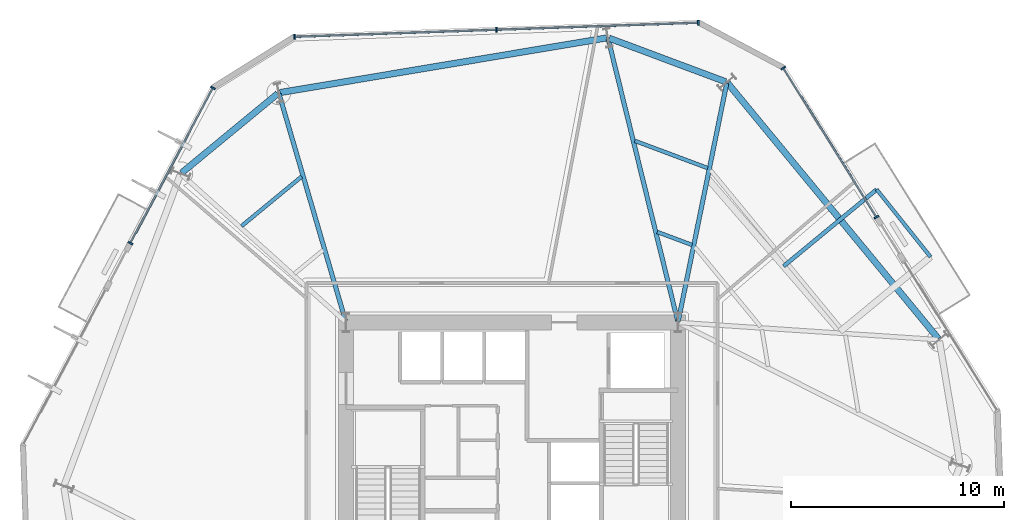
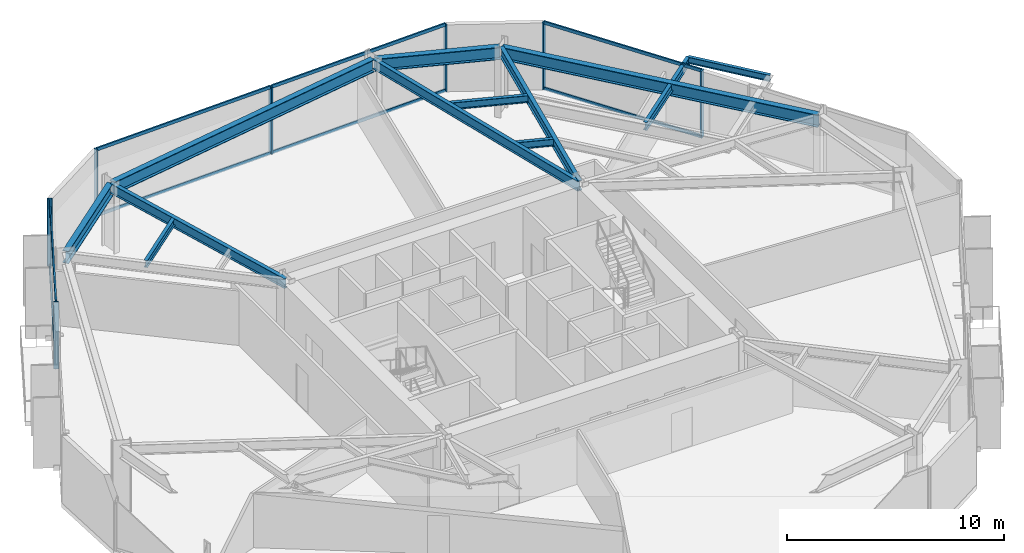
# One storey, part 4 of 10: 15 members, 12 beams, 3 elements without a shape of their own.
"""IFC4 building model written with IfcOpenShell, lengths in metres."""

from ifc_helpers import new_model, si_unit, direction, frame, origin, origin_2d, place, context, subcontext, project, spatial, rectangle, i_section, extrude, material, layer, layer_set, material_profile, profile_set, type_object, element, aggregate, save


model = new_model("IFC4")

# Units and contexts
model_context = context("Model", 3, precision=1e-05, world=origin(), true_north=direction((0.0, 1.0)))
body_context = subcontext(model_context, "Body", "Model", "MODEL_VIEW")
ifc_project = project(units=[si_unit("LENGTHUNIT", "METRE"), si_unit("AREAUNIT", "SQUARE_METRE"), si_unit("VOLUMEUNIT", "CUBIC_METRE"), si_unit("PLANEANGLEUNIT", "RADIAN"), si_unit("MASSUNIT", "GRAM", prefix="KILO")], contexts=[model_context])

# Site, building, storey
site_placement = place(None, origin())
site = spatial("IfcSite", under=ifc_project, at=site_placement, CompositionType="ELEMENT")
building_placement = place(site_placement, origin())
building = spatial("IfcBuilding", under=site, at=building_placement, Name="Kranzbogen Civic Tower", CompositionType="ELEMENT")
storey_placement = place(building_placement, frame((0.0, 0.0, 28.0)))
storey = spatial("IfcBuildingStorey", under=building, at=storey_placement, Name="L06", CompositionType="ELEMENT", Elevation=28.0)

# Beam
ifc_material_1 = material(Name="Steel S355", Category="steel")
ifc_material_profile_1 = material_profile(ifc_material_1, i_section(OverallWidth=0.18994140625, OverallDepth=0.449951171875, WebThickness=0.009521484375, FlangeThickness=0.0146484375, at=origin_2d()), Name="IPE 450")
ifc_profile_set_1 = profile_set([ifc_material_profile_1], Name="Steel S355")
beam_type_1 = type_object("IfcBeamType", Name="Braced Terrace Edge Beam IPE 450", PredefinedType="BEAM", material=ifc_profile_set_1)
beam_1_placement = place(storey_placement, frame((37.759033203125, 34.840087890625, 3.52490234375), z_axis=(0.77159944291, 0.636108716889, 0.0), x_axis=(-0.636108716889, 0.77159944291, 0.0)))
element("IfcBeam", 1, at=beam_1_placement, inside=storey, type_object=beam_type_1, Name="L07 back-spanned terrace beam L07-TB2-2", PredefinedType="BEAM", context=body_context, shape_type="SweptSolid", body=[
    extrude(i_section(OverallWidth=0.18994140625, OverallDepth=0.449951171875, WebThickness=0.009521484375, FlangeThickness=0.0146484375, at=origin_2d()), origin(), (0.0, 0.0, 1.0), 5.668701171875),
])

# Curtain wall, members
ifc_material_2 = material(Name="Pale Anodised Aluminium", Category="aluminium")
ifc_layer = layer(ifc_material_2, 0.219970703125, Name="Pale Anodised Aluminium")
ifc_layer_set = layer_set([ifc_layer], Name="Pale Anodised Aluminium")
curtain_wall_type = type_object("IfcCurtainWallType", Name="Zone 1 Stick Curtain Wall System CW-02", PredefinedType="USERDEFINED", material=ifc_layer_set)
curtain_wall_1_placement = place(storey_placement, origin())
curtain_wall_1 = element("IfcCurtainWall", 2, at=curtain_wall_1_placement, inside=storey, type_object=curtain_wall_type, Name="L06 curtain wall CW-L06-F1-S2", ObjectType="STICK CURTAIN WALL", PredefinedType="USERDEFINED")
ifc_material_profile_2 = material_profile(ifc_material_2, rectangle(XDim=0.080078125, YDim=0.239990234375, at=origin_2d()), Name="ALU-M 80x240")
ifc_profile_set_2 = profile_set([ifc_material_profile_2], Name="Pale Anodised Aluminium")
member_type_1 = type_object("IfcMemberType", Name="Curtain Wall Mullion ALU-M 80x240", PredefinedType="MULLION", material=ifc_profile_set_2)
member_1_placement = place(storey_placement, frame((42.123046875, 37.1494140625, 0.0), z_axis=(0.0, 0.0, 1.0), x_axis=(-0.529880076726, 0.84807258197, 0.0)))
member_1 = element("IfcMember", 3, at=member_1_placement, type_object=member_type_1, Name="CW-02 mullion 1", PredefinedType="MULLION", context=body_context, shape_type="SweptSolid", body=[
    extrude(rectangle(XDim=0.080078125, YDim=0.239990234375, at=origin_2d()), origin(), (0.0, 0.0, 1.0), 3.760009765625),
])
member_2_placement = place(storey_placement, frame((37.746826171875, 44.153564453125, 0.0), z_axis=(0.0, 0.0, 1.0), x_axis=(-0.529880076726, 0.84807258197, 0.0)))
member_2 = element("IfcMember", 4, at=member_2_placement, type_object=member_type_1, Name="CW-02 mullion 2", PredefinedType="MULLION", context=body_context, shape_type="SweptSolid", body=[
    extrude(rectangle(XDim=0.080078125, YDim=0.239990234375, at=origin_2d()), origin(), (0.0, 0.0, 1.0), 3.760009765625),
])

curtain_wall_2_placement = place(storey_placement, origin())
curtain_wall_2 = element("IfcCurtainWall", 5, at=curtain_wall_2_placement, inside=storey, type_object=curtain_wall_type, Name="L06 curtain wall CW-L06-F2", ObjectType="STICK CURTAIN WALL", PredefinedType="USERDEFINED")
member_3_placement = place(storey_placement, frame((33.751953125, 46.279052734375, 0.0), z_axis=(0.0, 0.0, 1.0), x_axis=(-0.999389796064, -0.034929006913, 0.0)))
member_3 = element("IfcMember", 6, at=member_3_placement, type_object=member_type_1, Name="CW-02 mullion 1", PredefinedType="MULLION", context=body_context, shape_type="SweptSolid", body=[
    extrude(rectangle(XDim=0.080078125, YDim=0.239990234375, at=origin_2d()), origin(), (0.0, 0.0, 1.0), 3.760009765625),
])
member_4_placement = place(storey_placement, frame((24.2685546875, 45.947509765625, 0.0), z_axis=(0.0, 0.0, 1.0), x_axis=(-0.999389796064, -0.034929006913, 0.0)))
member_4 = element("IfcMember", 7, at=member_4_placement, type_object=member_type_1, Name="CW-02 mullion 2", PredefinedType="MULLION", context=body_context, shape_type="SweptSolid", body=[
    extrude(rectangle(XDim=0.080078125, YDim=0.239990234375, at=origin_2d()), origin(), (0.0, 0.0, 1.0), 3.760009765625),
])
member_5_placement = place(storey_placement, frame((14.784912109375, 45.615966796875, 0.0), z_axis=(0.0, 0.0, 1.0), x_axis=(-0.999389796064, -0.034929006913, 0.0)))
member_5 = element("IfcMember", 8, at=member_5_placement, type_object=member_type_1, Name="CW-02 mullion 3", PredefinedType="MULLION", context=body_context, shape_type="SweptSolid", body=[
    extrude(rectangle(XDim=0.080078125, YDim=0.239990234375, at=origin_2d()), origin(), (0.0, 0.0, 1.0), 3.760009765625),
])

curtain_wall_3_placement = place(storey_placement, origin())
curtain_wall_3 = element("IfcCurtainWall", 9, at=curtain_wall_3_placement, inside=storey, type_object=curtain_wall_type, Name="L06 curtain wall CW-L06-F3-S1", ObjectType="STICK CURTAIN WALL", PredefinedType="USERDEFINED")
member_6_placement = place(storey_placement, frame((10.947998046875, 43.218505859375, 0.0), z_axis=(0.0, 0.0, 1.0), x_axis=(-0.469383710583, -0.882994299098, 0.0)))
member_6 = element("IfcMember", 10, at=member_6_placement, type_object=member_type_1, Name="CW-02 mullion 1", PredefinedType="MULLION", context=body_context, shape_type="SweptSolid", body=[
    extrude(rectangle(XDim=0.080078125, YDim=0.239990234375, at=origin_2d()), origin(), (0.0, 0.0, 1.0), 3.760009765625),
])
member_7_placement = place(storey_placement, frame((7.071044921875, 35.925537109375, 0.0), z_axis=(0.0, 0.0, 1.0), x_axis=(-0.469383710583, -0.882994299098, 0.0)))
member_7 = element("IfcMember", 11, at=member_7_placement, type_object=member_type_1, Name="CW-02 mullion 2", PredefinedType="MULLION", context=body_context, shape_type="SweptSolid", body=[
    extrude(rectangle(XDim=0.080078125, YDim=0.239990234375, at=origin_2d()), origin(), (0.0, 0.0, 1.0), 3.760009765625),
])

# Member
ifc_material_profile_3 = material_profile(ifc_material_2, rectangle(XDim=0.080078125, YDim=0.179931640625, at=origin_2d()), Name="ALU-T 80x180")
ifc_profile_set_3 = profile_set([ifc_material_profile_3], Name="Pale Anodised Aluminium")
member_type_2 = type_object("IfcMemberType", Name="Curtain Wall Transom ALU-T 80x180", PredefinedType="USERDEFINED", material=ifc_profile_set_3)
member_8_placement = place(storey_placement, frame((42.107177734375, 37.1748046875, 0.030029296875), z_axis=(-0.529878489098, 0.848073573926, 0.0), x_axis=(-0.848073573926, -0.529878489098, 0.0)))
member_8 = element("IfcMember", 12, at=member_8_placement, type_object=member_type_2, Name="CW-02 transom 1.1", ObjectType="TRANSOM", PredefinedType="USERDEFINED", context=body_context, shape_type="SweptSolid", body=[
    extrude(rectangle(XDim=0.080078125, YDim=0.179931640625, at=origin_2d()), origin(), (0.0, 0.0, 1.0), 8.198974609375),
])

member_9_placement = place(storey_placement, frame((42.107177734375, 37.1748046875, 3.72998046875), z_axis=(-0.529878489098, 0.848073573926, 0.0), x_axis=(-0.848073573926, -0.529878489098, 0.0)))
member_9 = element("IfcMember", 13, at=member_9_placement, type_object=member_type_2, Name="CW-02 transom 1.2", ObjectType="TRANSOM", PredefinedType="USERDEFINED", context=body_context, shape_type="SweptSolid", body=[
    extrude(rectangle(XDim=0.080078125, YDim=0.179931640625, at=origin_2d()), origin(), (0.0, 0.0, 1.0), 8.198974609375),
])

aggregate(curtain_wall_1, [member_1, member_2, member_8, member_9])

member_10_placement = place(storey_placement, frame((33.721923828125, 46.27783203125, 0.030029296875), z_axis=(-0.999389807797, -0.034928671193, 0.0), x_axis=(0.034928671193, -0.999389807797, 0.0)))
member_10 = element("IfcMember", 14, at=member_10_placement, type_object=member_type_2, Name="CW-02 transom 1.1", ObjectType="TRANSOM", PredefinedType="USERDEFINED", context=body_context, shape_type="SweptSolid", body=[
    extrude(rectangle(XDim=0.080078125, YDim=0.179931640625, at=origin_2d()), origin(), (0.0, 0.0, 1.0), 9.42919921875),
])

member_11_placement = place(storey_placement, frame((33.721923828125, 46.27783203125, 3.72998046875), z_axis=(-0.999389807797, -0.034928671193, 0.0), x_axis=(0.034928671193, -0.999389807797, 0.0)))
member_11 = element("IfcMember", 15, at=member_11_placement, type_object=member_type_2, Name="CW-02 transom 1.2", ObjectType="TRANSOM", PredefinedType="USERDEFINED", context=body_context, shape_type="SweptSolid", body=[
    extrude(rectangle(XDim=0.080078125, YDim=0.179931640625, at=origin_2d()), origin(), (0.0, 0.0, 1.0), 9.42919921875),
])

member_12_placement = place(storey_placement, frame((24.238525390625, 45.946533203125, 0.030029296875), z_axis=(-0.999389839385, -0.034927767386, 0.0), x_axis=(0.034927767386, -0.999389839385, 0.0)))
member_12 = element("IfcMember", 16, at=member_12_placement, type_object=member_type_2, Name="CW-02 transom 2.1", ObjectType="TRANSOM", PredefinedType="USERDEFINED", context=body_context, shape_type="SweptSolid", body=[
    extrude(rectangle(XDim=0.080078125, YDim=0.179931640625, at=origin_2d()), origin(), (0.0, 0.0, 1.0), 9.429443359375),
])

member_13_placement = place(storey_placement, frame((24.238525390625, 45.946533203125, 3.72998046875), z_axis=(-0.999389839385, -0.034927767386, 0.0), x_axis=(0.034927767386, -0.999389839385, 0.0)))
member_13 = element("IfcMember", 17, at=member_13_placement, type_object=member_type_2, Name="CW-02 transom 2.2", ObjectType="TRANSOM", PredefinedType="USERDEFINED", context=body_context, shape_type="SweptSolid", body=[
    extrude(rectangle(XDim=0.080078125, YDim=0.179931640625, at=origin_2d()), origin(), (0.0, 0.0, 1.0), 9.429443359375),
])

aggregate(curtain_wall_2, [member_3, member_4, member_5, member_10, member_11, member_12, member_13])

member_14_placement = place(storey_placement, frame((10.933837890625, 43.192138671875, 0.030029296875), z_axis=(-0.469370007928, -0.883001583044, 0.0), x_axis=(0.883001583044, -0.469370007928, 0.0)))
member_14 = element("IfcMember", 18, at=member_14_placement, type_object=member_type_2, Name="CW-02 transom 1.1", ObjectType="TRANSOM", PredefinedType="USERDEFINED", context=body_context, shape_type="SweptSolid", body=[
    extrude(rectangle(XDim=0.080078125, YDim=0.179931640625, at=origin_2d()), origin(), (0.0, 0.0, 1.0), 8.199462890625),
])

member_15_placement = place(storey_placement, frame((10.933837890625, 43.192138671875, 3.72998046875), z_axis=(-0.469370007928, -0.883001583044, 0.0), x_axis=(0.883001583044, -0.469370007928, 0.0)))
member_15 = element("IfcMember", 19, at=member_15_placement, type_object=member_type_2, Name="CW-02 transom 1.2", ObjectType="TRANSOM", PredefinedType="USERDEFINED", context=body_context, shape_type="SweptSolid", body=[
    extrude(rectangle(XDim=0.080078125, YDim=0.179931640625, at=origin_2d()), origin(), (0.0, 0.0, 1.0), 8.199462890625),
])

aggregate(curtain_wall_3, [member_6, member_7, member_14, member_15])

# Beams
ifc_material_profile_4 = material_profile(ifc_material_1, i_section(OverallWidth=0.300048828125, OverallDepth=0.699951171875, WebThickness=0.01708984375, FlangeThickness=0.031982421875, at=origin_2d()), Name="HEB 700")
ifc_profile_set_4 = profile_set([ifc_material_profile_4], Name="Steel S355")
beam_type_2 = type_object("IfcBeamType", Name="Perimeter Tube Spandrel Beam HEB 700", PredefinedType="SPANDREL", material=ifc_profile_set_4)
beam_2_placement = place(storey_placement, frame((45.033935546875, 31.431884765625, 3.409912109375), z_axis=(-0.636074572579, 0.771627590304, 0.0), x_axis=(-0.771627590304, -0.636074572579, 0.0)))
element("IfcBeam", 20, at=beam_2_placement, inside=storey, type_object=beam_type_2, Name="L06 perimeter spandrel beam 08", PredefinedType="SPANDREL", context=body_context, shape_type="SweptSolid", body=[
    extrude(i_section(OverallWidth=0.300048828125, OverallDepth=0.699951171875, WebThickness=0.01708984375, FlangeThickness=0.031982421875, at=origin_2d()), origin(), (0.0, 0.0, 1.0), 15.5595703125),
])
beam_3_placement = place(storey_placement, frame((35.04296875, 43.5048828125, 3.409912109375), z_axis=(-0.936647646965, 0.350273015568, 0.0), x_axis=(-0.350273015568, -0.936647646965, 0.0)))
element("IfcBeam", 21, at=beam_3_placement, inside=storey, type_object=beam_type_2, Name="L06 perimeter spandrel beam 09", PredefinedType="SPANDREL", context=body_context, shape_type="SweptSolid", body=[
    extrude(i_section(OverallWidth=0.300048828125, OverallDepth=0.699951171875, WebThickness=0.01708984375, FlangeThickness=0.031982421875, at=origin_2d()), origin(), (0.0, 0.0, 1.0), 5.852783203125),
])
beam_4_placement = place(storey_placement, frame((29.446044921875, 45.56591796875, 3.409912109375), z_axis=(-0.986285563243, -0.165047834697, 0.0), x_axis=(0.165047834697, -0.986285563243, 0.0)))
element("IfcBeam", 22, at=beam_4_placement, inside=storey, type_object=beam_type_2, Name="L06 perimeter spandrel beam 10", PredefinedType="SPANDREL", context=body_context, shape_type="SweptSolid", body=[
    extrude(i_section(OverallWidth=0.300048828125, OverallDepth=0.699951171875, WebThickness=0.01708984375, FlangeThickness=0.031982421875, at=origin_2d()), origin(), (0.0, 0.0, 1.0), 15.558349609375),
])
beam_5_placement = place(storey_placement, frame((13.99609375, 42.949951171875, 3.409912109375), z_axis=(-0.77168336865, -0.636006901337, 0.0), x_axis=(0.636006901337, -0.77168336865, 0.0)))
element("IfcBeam", 23, at=beam_5_placement, inside=storey, type_object=beam_type_2, Name="L06 perimeter spandrel beam 11", PredefinedType="SPANDREL", context=body_context, shape_type="SweptSolid", body=[
    extrude(i_section(OverallWidth=0.300048828125, OverallDepth=0.699951171875, WebThickness=0.01708984375, FlangeThickness=0.031982421875, at=origin_2d()), origin(), (0.0, 0.0, 1.0), 5.853515625),
])
ifc_material_profile_5 = material_profile(ifc_material_1, i_section(OverallWidth=0.2099609375, OverallDepth=0.550048828125, WebThickness=0.010986328125, FlangeThickness=0.01708984375, at=origin_2d()), Name="IPE 550")
ifc_profile_set_5 = profile_set([ifc_material_profile_5], Name="Steel S355")
beam_type_3 = type_object("IfcBeamType", Name="Radial Tower Floor Girder IPE 550", PredefinedType="BEAM", material=ifc_profile_set_5)
beam_6_placement = place(storey_placement, frame((35.0869140625, 43.425048828125, 3.485107421875), z_axis=(-0.199633433694, -0.979870650725, 0.0), x_axis=(0.979870650725, -0.199633433694, 0.0)))
element("IfcBeam", 24, at=beam_6_placement, inside=storey, type_object=beam_type_3, Name="L06 radial floor girder 09", PredefinedType="BEAM", context=body_context, shape_type="SweptSolid", body=[
    extrude(i_section(OverallWidth=0.2099609375, OverallDepth=0.550048828125, WebThickness=0.010986328125, FlangeThickness=0.01708984375, at=origin_2d()), origin(), (0.0, 0.0, 1.0), 11.3955078125),
])
beam_7_placement = place(storey_placement, frame((29.51904296875, 45.51806640625, 3.485107421875), z_axis=(0.239215348776, -0.970966537482, 0.0), x_axis=(0.970966537482, 0.239215348776, 0.0)))
element("IfcBeam", 25, at=beam_7_placement, inside=storey, type_object=beam_type_3, Name="L06 radial floor girder 10", PredefinedType="BEAM", context=body_context, shape_type="SweptSolid", body=[
    extrude(i_section(OverallWidth=0.2099609375, OverallDepth=0.550048828125, WebThickness=0.010986328125, FlangeThickness=0.01708984375, at=origin_2d()), origin(), (0.0, 0.0, 1.0), 13.656494140625),
])
beam_8_placement = place(storey_placement, frame((14.05908203125, 42.929931640625, 3.485107421875), z_axis=(0.280944131918, -0.959724124288, 0.0), x_axis=(0.959724124288, 0.280944131918, 0.0)))
element("IfcBeam", 26, at=beam_8_placement, inside=storey, type_object=beam_type_3, Name="L06 radial floor girder 11", PredefinedType="BEAM", context=body_context, shape_type="SweptSolid", body=[
    extrude(i_section(OverallWidth=0.2099609375, OverallDepth=0.550048828125, WebThickness=0.010986328125, FlangeThickness=0.01708984375, at=origin_2d()), origin(), (0.0, 0.0, 1.0), 11.11962890625),
])
ifc_material_profile_6 = material_profile(ifc_material_1, i_section(OverallWidth=0.169921875, OverallDepth=0.360107421875, WebThickness=0.008056640625, FlangeThickness=0.0126953125, at=origin_2d()), Name="IPE 360")
ifc_profile_set_6 = profile_set([ifc_material_profile_6], Name="Steel S355")
beam_type_4 = type_object("IfcBeamType", Name="Secondary Composite Floor Joist IPE 360", PredefinedType="JOIST", material=ifc_profile_set_6)
beam_9_placement = place(storey_placement, frame((44.6650390625, 35.279052734375, 3.570068359375), z_axis=(-0.6244527032, 0.781062623268, 0.0), x_axis=(-0.781062623268, -0.6244527032, 0.0)))
element("IfcBeam", 27, at=beam_9_placement, inside=storey, type_object=beam_type_4, Name="L07 terrace outer edge trimmer L07-TB2", PredefinedType="JOIST", context=body_context, shape_type="SweptSolid", body=[
    extrude(i_section(OverallWidth=0.169921875, OverallDepth=0.360107421875, WebThickness=0.008056640625, FlangeThickness=0.0126953125, at=origin_2d()), origin(), (0.0, 0.0, 1.0), 4.0546875),
])
ifc_material_profile_7 = material_profile(ifc_material_1, i_section(OverallWidth=0.179931640625, OverallDepth=0.39990234375, WebThickness=0.008544921875, FlangeThickness=0.013427734375, at=origin_2d()), Name="IPE 400")
ifc_profile_set_7 = profile_set([ifc_material_profile_7], Name="Steel S355")
beam_type_5 = type_object("IfcBeamType", Name="Secondary Composite Floor Joist IPE 400", PredefinedType="JOIST", material=ifc_profile_set_7)
beam_10_placement = place(storey_placement, frame((34.196044921875, 39.449951171875, 3.56005859375), z_axis=(-0.936622008794, 0.350341565678, 0.0), x_axis=(-0.350341565678, -0.936622008794, 0.0)))
element("IfcBeam", 28, at=beam_10_placement, inside=storey, type_object=beam_type_5, Name="L06 secondary floor joist 1.09", PredefinedType="JOIST", context=body_context, shape_type="SweptSolid", body=[
    extrude(i_section(OverallWidth=0.179931640625, OverallDepth=0.39990234375, WebThickness=0.008544921875, FlangeThickness=0.013427734375, at=origin_2d()), origin(), (0.0, 0.0, 1.0), 3.662109375),
])
beam_11_placement = place(storey_placement, frame((33.4609375, 35.839111328125, 3.56005859375), z_axis=(-0.936735458815, 0.350038112495, 0.0), x_axis=(-0.350038112495, -0.936735458815, 0.0)))
element("IfcBeam", 29, at=beam_11_placement, inside=storey, type_object=beam_type_5, Name="L06 secondary floor joist 2.09", PredefinedType="JOIST", context=body_context, shape_type="SweptSolid", body=[
    extrude(i_section(OverallWidth=0.179931640625, OverallDepth=0.39990234375, WebThickness=0.008544921875, FlangeThickness=0.013427734375, at=origin_2d()), origin(), (0.0, 0.0, 1.0), 1.750732421875),
])
beam_12_placement = place(storey_placement, frame((15.116943359375, 39.052978515625, 3.56005859375), z_axis=(-0.771712720426, -0.635971286406, 0.0), x_axis=(0.635971286406, -0.771712720426, 0.0)))
element("IfcBeam", 30, at=beam_12_placement, inside=storey, type_object=beam_type_5, Name="L06 secondary floor joist 1.11", PredefinedType="JOIST", context=body_context, shape_type="SweptSolid", body=[
    extrude(i_section(OverallWidth=0.179931640625, OverallDepth=0.39990234375, WebThickness=0.008544921875, FlangeThickness=0.013427734375, at=origin_2d()), origin(), (0.0, 0.0, 1.0), 3.661865234375),
])

save(model, "model.ifc")
